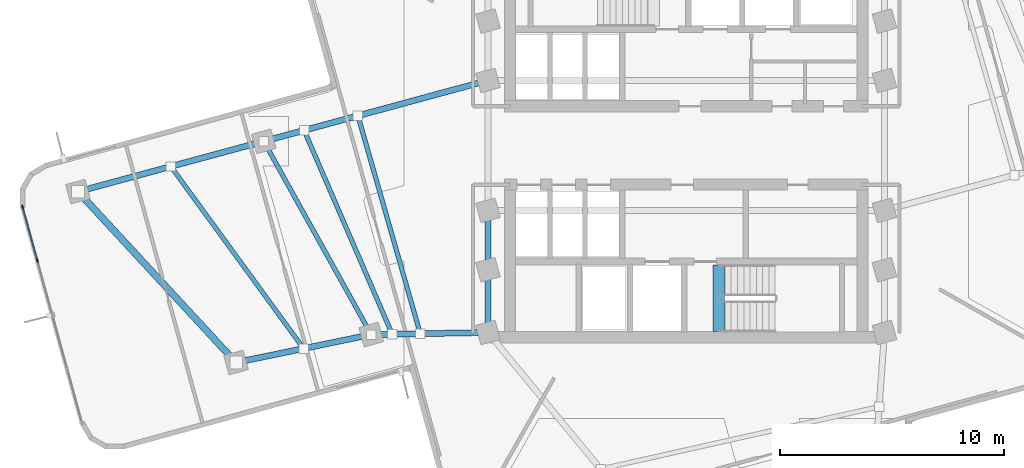
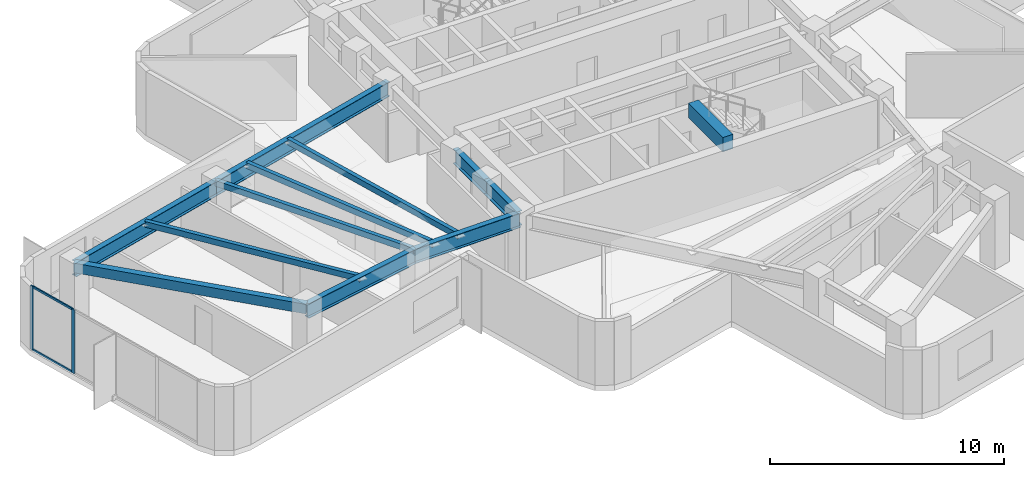
# One storey, part 3 of 12: 12 beams, 4 members, 1 element without a shape of its own.
"""IFC4 building model written with IfcOpenShell, lengths in metres."""

from ifc_helpers import new_model, si_unit, direction, frame, origin, origin_2d, place, context, subcontext, project, spatial, rectangle, hollow_rectangle, i_section, extrude, material, layer, layer_set, material_profile, profile_set, type_object, element, aggregate, save


model = new_model("IFC4")

# Units and contexts
model_context = context("Model", 3, precision=1e-05, world=origin(), true_north=direction((0.0, 1.0)))
body_context = subcontext(model_context, "Body", "Model", "MODEL_VIEW")
ifc_project = project(units=[si_unit("LENGTHUNIT", "METRE"), si_unit("AREAUNIT", "SQUARE_METRE"), si_unit("VOLUMEUNIT", "CUBIC_METRE"), si_unit("PLANEANGLEUNIT", "RADIAN"), si_unit("MASSUNIT", "GRAM", prefix="KILO")], contexts=[model_context])

# Site, building, storey
site_placement = place(None, origin())
site = spatial("IfcSite", under=ifc_project, at=site_placement, CompositionType="ELEMENT")
building_placement = place(site_placement, origin())
building = spatial("IfcBuilding", under=site, at=building_placement, Name="Solmarez Civic Tower", CompositionType="ELEMENT")
storey_placement = place(building_placement, frame((0.0, 0.0, 134.280029296875)))
storey = spatial("IfcBuildingStorey", under=building, at=storey_placement, Name="L35", CompositionType="ELEMENT", Elevation=134.280029296875)

# Beams
ifc_material_1 = material(Name="Steel S355", Category="steel")
ifc_material_profile_1 = material_profile(ifc_material_1, hollow_rectangle(XDim=0.199951171875, YDim=0.300048828125, WallThickness=0.011962890625, at=origin_2d()), Name="HSS300X200X12")
ifc_profile_set_1 = profile_set([ifc_material_profile_1], Name="Steel S355")
beam_type_1 = type_object("IfcBeamType", Name="BM-JS-HSS300X200", PredefinedType="JOIST", material=ifc_profile_set_1)
beam_1_placement = place(storey_placement, frame((-18.860107421875, 0.18310546875, 3.169921875), z_axis=(0.485852902718, -0.874040592261, 0.0), x_axis=(0.874040592261, 0.485852902718, 0.0)))
element("IfcBeam", 1, at=beam_1_placement, inside=storey, type_object=beam_type_1, Name="L35 Secondary Floor Joist BM-L35-WA-T1", PredefinedType="JOIST", context=body_context, shape_type="SweptSolid", body=[
    extrude(hollow_rectangle(XDim=0.199951171875, YDim=0.300048828125, WallThickness=0.011962890625, at=origin_2d()), origin(), (0.0, 0.0, 1.0), 9.87158203125),
])
beam_2_placement = place(storey_placement, frame((-23.006103515625, -0.94091796875, 3.169921875), z_axis=(0.589058914091, -0.808090091345, 0.0), x_axis=(0.808090091345, 0.589058914091, 0.0)))
element("IfcBeam", 2, at=beam_2_placement, inside=storey, type_object=beam_type_1, Name="L35 Secondary Floor Joist JS-L35-WA-M2", PredefinedType="JOIST", context=body_context, shape_type="SweptSolid", body=[
    extrude(hollow_rectangle(XDim=0.199951171875, YDim=0.300048828125, WallThickness=0.011962890625, at=origin_2d()), origin(), (0.0, 0.0, 1.0), 10.05859375),
])
beam_3_placement = place(storey_placement, frame((-14.656005859375, 1.323974609375, 3.169921875), z_axis=(0.27492825036, -0.961464745664, 0.0), x_axis=(0.961464745664, 0.27492825036, 0.0)))
element("IfcBeam", 3, at=beam_3_placement, inside=storey, type_object=beam_type_1, Name="L35 Secondary Floor Joist JS-L35-WA-M11", PredefinedType="JOIST", context=body_context, shape_type="SweptSolid", body=[
    extrude(hollow_rectangle(XDim=0.199951171875, YDim=0.300048828125, WallThickness=0.011962890625, at=origin_2d()), origin(), (0.0, 0.0, 1.0), 10.118896484375),
])
beam_4_placement = place(storey_placement, frame((-17.05810546875, 0.672119140625, 3.169921875), z_axis=(0.396735074316, -0.917933157048, 0.0), x_axis=(0.917933157048, 0.396735074316, 0.0)))
element("IfcBeam", 4, at=beam_4_placement, inside=storey, type_object=beam_type_1, Name="L35 Secondary Floor Joist JS-L35-WA-M12", PredefinedType="JOIST", context=body_context, shape_type="SweptSolid", body=[
    extrude(hollow_rectangle(XDim=0.199951171875, YDim=0.300048828125, WallThickness=0.011962890625, at=origin_2d()), origin(), (0.0, 0.0, 1.0), 9.91357421875),
])
ifc_material_2 = material(Name="Concrete C50/60", Category="concrete")
ifc_material_profile_2 = material_profile(ifc_material_2, rectangle(XDim=0.5, YDim=0.75, at=origin_2d()), Name="RC500X750")
ifc_profile_set_2 = profile_set([ifc_material_profile_2], Name="Concrete C50/60")
beam_type_2 = type_object("IfcBeamType", Name="BM-PR-RC500X750", PredefinedType="BEAM", material=ifc_profile_set_2)
beam_5_placement = place(storey_placement, frame((1.449951171875, -8.300048828125, 3.23291015625), z_axis=(0.0, 1.0, 0.0), x_axis=(-1.0, 0.0, 0.0)))
element("IfcBeam", 5, at=beam_5_placement, inside=storey, type_object=beam_type_2, Name="L35 South Stair Threshold Beam", PredefinedType="BEAM", context=body_context, shape_type="SweptSolid", body=[
    extrude(rectangle(XDim=0.5, YDim=0.75, at=origin_2d()), origin(), (0.0, 0.0, 1.0), 2.9599609375),
])
ifc_material_profile_3 = material_profile(ifc_material_1, i_section(OverallWidth=0.26708984375, OverallDepth=0.761962890625, WebThickness=0.014404296875, FlangeThickness=0.021484375, at=origin_2d()), Name="W30X116")
ifc_profile_set_3 = profile_set([ifc_material_profile_3], Name="Steel S355")
beam_type_3 = type_object("IfcBeamType", Name="BM-PR-W30X116", PredefinedType="BEAM", material=ifc_profile_set_3)
beam_6_placement = place(storey_placement, frame((-8.85009765625, -8.35009765625, 2.93896484375), z_axis=(0.0, 1.0, 0.0), x_axis=(-1.0, 0.0, 0.0)))
element("IfcBeam", 6, at=beam_6_placement, inside=storey, type_object=beam_type_3, Name="L35 Primary Floor Beam BM-L35-HC12-HC1", PredefinedType="BEAM", context=body_context, shape_type="SweptSolid", body=[
    extrude(i_section(OverallWidth=0.26708984375, OverallDepth=0.761962890625, WebThickness=0.014404296875, FlangeThickness=0.021484375, at=origin_2d()), origin(), (0.0, 0.0, 1.0), 2.800048828125),
])
beam_7_placement = place(storey_placement, frame((-8.85009765625, -5.550048828125, 2.93896484375), z_axis=(0.0, 1.0, 0.0), x_axis=(-1.0, 0.0, 0.0)))
element("IfcBeam", 7, at=beam_7_placement, inside=storey, type_object=beam_type_3, Name="L35 Primary Floor Beam BM-L35-HC1-HC2", PredefinedType="BEAM", context=body_context, shape_type="SweptSolid", body=[
    extrude(i_section(OverallWidth=0.26708984375, OverallDepth=0.761962890625, WebThickness=0.014404296875, FlangeThickness=0.021484375, at=origin_2d()), origin(), (0.0, 0.0, 1.0), 2.650146484375),
])
beam_8_placement = place(storey_placement, frame((-8.85009765625, 2.89990234375, 2.93896484375), z_axis=(-0.965086289853, -0.261932153691, 0.0), x_axis=(0.261932153691, -0.965086289853, 0.0)))
element("IfcBeam", 8, at=beam_8_placement, inside=storey, type_object=beam_type_3, Name="L35 Primary Floor Beam BM-L35-WA-R1A", PredefinedType="BEAM", context=body_context, shape_type="SweptSolid", body=[
    extrude(i_section(OverallWidth=0.26708984375, OverallDepth=0.761962890625, WebThickness=0.014404296875, FlangeThickness=0.021484375, at=origin_2d()), origin(), (0.0, 0.0, 1.0), 10.3720703125),
])
beam_9_placement = place(storey_placement, frame((-8.85009765625, -8.35009765625, 2.93896484375), z_axis=(-0.999834147765, -0.018212000538, 0.0), x_axis=(0.018212000538, -0.999834147765, 0.0)))
element("IfcBeam", 9, at=beam_9_placement, inside=storey, type_object=beam_type_3, Name="L35 Primary Floor Beam BM-L35-WA-R1B", PredefinedType="BEAM", context=body_context, shape_type="SweptSolid", body=[
    extrude(i_section(OverallWidth=0.26708984375, OverallDepth=0.761962890625, WebThickness=0.014404296875, FlangeThickness=0.021484375, at=origin_2d()), origin(), (0.0, 0.0, 1.0), 5.21484375),
])
beam_10_placement = place(storey_placement, frame((-18.860107421875, 0.18310546875, 2.93896484375), z_axis=(-0.965195296066, -0.261530190326, 0.0), x_axis=(0.261530190326, -0.965195296066, 0.0)))
element("IfcBeam", 10, at=beam_10_placement, inside=storey, type_object=beam_type_3, Name="L35 Primary Floor Beam BM-L35-WA-R2A", PredefinedType="BEAM", context=body_context, shape_type="SweptSolid", body=[
    extrude(i_section(OverallWidth=0.26708984375, OverallDepth=0.761962890625, WebThickness=0.014404296875, FlangeThickness=0.021484375, at=origin_2d()), origin(), (0.0, 0.0, 1.0), 8.592041015625),
])
beam_11_placement = place(storey_placement, frame((-14.06396484375, -8.445068359375, 2.93896484375), z_axis=(-0.979311082476, -0.202360578523, 0.0), x_axis=(0.202360578523, -0.979311082476, 0.0)))
element("IfcBeam", 11, at=beam_11_placement, inside=storey, type_object=beam_type_3, Name="L35 Primary Floor Beam BM-L35-WA-R2B", PredefinedType="BEAM", context=body_context, shape_type="SweptSolid", body=[
    extrude(i_section(OverallWidth=0.26708984375, OverallDepth=0.761962890625, WebThickness=0.014404296875, FlangeThickness=0.021484375, at=origin_2d()), origin(), (0.0, 0.0, 1.0), 6.161376953125),
])
ifc_material_profile_4 = material_profile(ifc_material_1, hollow_rectangle(XDim=0.300048828125, YDim=0.5, WallThickness=0.02001953125, at=origin_2d()), Name="HSS500X300X20")
ifc_profile_set_4 = profile_set([ifc_material_profile_4], Name="Steel S355")
beam_type_4 = type_object("IfcBeamType", Name="BM-SP-HSS500X300", PredefinedType="SPANDREL", material=ifc_profile_set_4)
beam_12_placement = place(storey_placement, frame((-27.153076171875, -2.06396484375, 3.070068359375), z_axis=(0.679007792344, -0.734131063187, 0.0), x_axis=(0.734131063187, 0.679007792344, 0.0)))
element("IfcBeam", 12, at=beam_12_placement, inside=storey, type_object=beam_type_4, Name="L35 Perimeter Spandrel Beam BM-L35-WA-T2", PredefinedType="SPANDREL", context=body_context, shape_type="SweptSolid", body=[
    extrude(hollow_rectangle(XDim=0.300048828125, YDim=0.5, WallThickness=0.02001953125, at=origin_2d()), origin(), (0.0, 0.0, 1.0), 10.390380859375),
])

# Curtain wall, members
ifc_material_3 = material(Name="Bronze Anodised Aluminium EN AW-6063 T6", Category="aluminium")
ifc_layer = layer(ifc_material_3, 0.175048828125)
ifc_layer_set = layer_set([ifc_layer], Name="Bronze Anodised Aluminium EN AW-6063 T6")
curtain_wall_type = type_object("IfcCurtainWallType", Name="CW-SYS-3", PredefinedType="NOTDEFINED", material=ifc_layer_set)
curtain_wall_placement = place(storey_placement, origin())
curtain_wall = element("IfcCurtainWall", 13, at=curtain_wall_placement, inside=storey, type_object=curtain_wall_type, Name="L35 Stick-Built Curtain Wall 1", PredefinedType="NOTDEFINED")
ifc_material_profile_5 = material_profile(ifc_material_3, rectangle(XDim=0.06494140625, YDim=0.1650390625, at=origin_2d()), Name="CWM-65X165")
ifc_profile_set_5 = profile_set([ifc_material_profile_5], Name="Bronze Anodised Aluminium EN AW-6063 T6")
member_type_1 = type_object("IfcMemberType", Name="CWM-TYPE-3", PredefinedType="MULLION", material=ifc_profile_set_5)
member_1_placement = place(storey_placement, frame((-28.965087890625, -5.14111328125, 0.0), z_axis=(0.0, 0.0, 1.0), x_axis=(-0.964090954612, -0.265572271208, 0.0)))
member_1 = element("IfcMember", 14, at=member_1_placement, type_object=member_type_1, Name="CWS3 mullion 4", PredefinedType="MULLION", context=body_context, shape_type="SweptSolid", body=[
    extrude(rectangle(XDim=0.06494140625, YDim=0.1650390625, at=origin_2d()), origin(), (0.0, 0.0, 1.0), 3.320068359375),
])
member_2_placement = place(storey_placement, frame((-29.624267578125, -2.747314453125, 0.0), z_axis=(0.0, 0.0, 1.0), x_axis=(-0.964090954612, -0.265572271208, 0.0)))
member_2 = element("IfcMember", 15, at=member_2_placement, type_object=member_type_1, Name="CWS3 mullion 5", PredefinedType="MULLION", context=body_context, shape_type="SweptSolid", body=[
    extrude(rectangle(XDim=0.06494140625, YDim=0.1650390625, at=origin_2d()), origin(), (0.0, 0.0, 1.0), 3.320068359375),
])
ifc_material_profile_6 = material_profile(ifc_material_3, rectangle(XDim=0.06005859375, YDim=0.110107421875, at=origin_2d()), Name="CWT-60X110")
ifc_profile_set_6 = profile_set([ifc_material_profile_6], Name="Bronze Anodised Aluminium EN AW-6063 T6")
member_type_2 = type_object("IfcMemberType", Name="CWT-TYPE-3", PredefinedType="USERDEFINED", material=ifc_profile_set_6)
member_3_placement = place(storey_placement, frame((-28.9736328125, -5.109619140625, 0.030029296875), z_axis=(-0.265560118816, 0.964094302075, 0.0), x_axis=(-0.964094302075, -0.265560118816, 0.0)))
member_3 = element("IfcMember", 16, at=member_3_placement, type_object=member_type_2, Name="CWS3 transom 4.1", ObjectType="TRANSOM", PredefinedType="USERDEFINED", context=body_context, shape_type="SweptSolid", body=[
    extrude(rectangle(XDim=0.06005859375, YDim=0.110107421875, at=origin_2d()), origin(), (0.0, 0.0, 1.0), 2.41796875),
])
member_4_placement = place(storey_placement, frame((-28.9736328125, -5.109619140625, 3.2900390625), z_axis=(-0.265560118816, 0.964094302075, 0.0), x_axis=(-0.964094302075, -0.265560118816, 0.0)))
member_4 = element("IfcMember", 17, at=member_4_placement, type_object=member_type_2, Name="CWS3 transom 4.2", ObjectType="TRANSOM", PredefinedType="USERDEFINED", context=body_context, shape_type="SweptSolid", body=[
    extrude(rectangle(XDim=0.06005859375, YDim=0.110107421875, at=origin_2d()), origin(), (0.0, 0.0, 1.0), 2.41796875),
])
aggregate(curtain_wall, [member_1, member_2, member_3, member_4])

save(model, "model.ifc")
